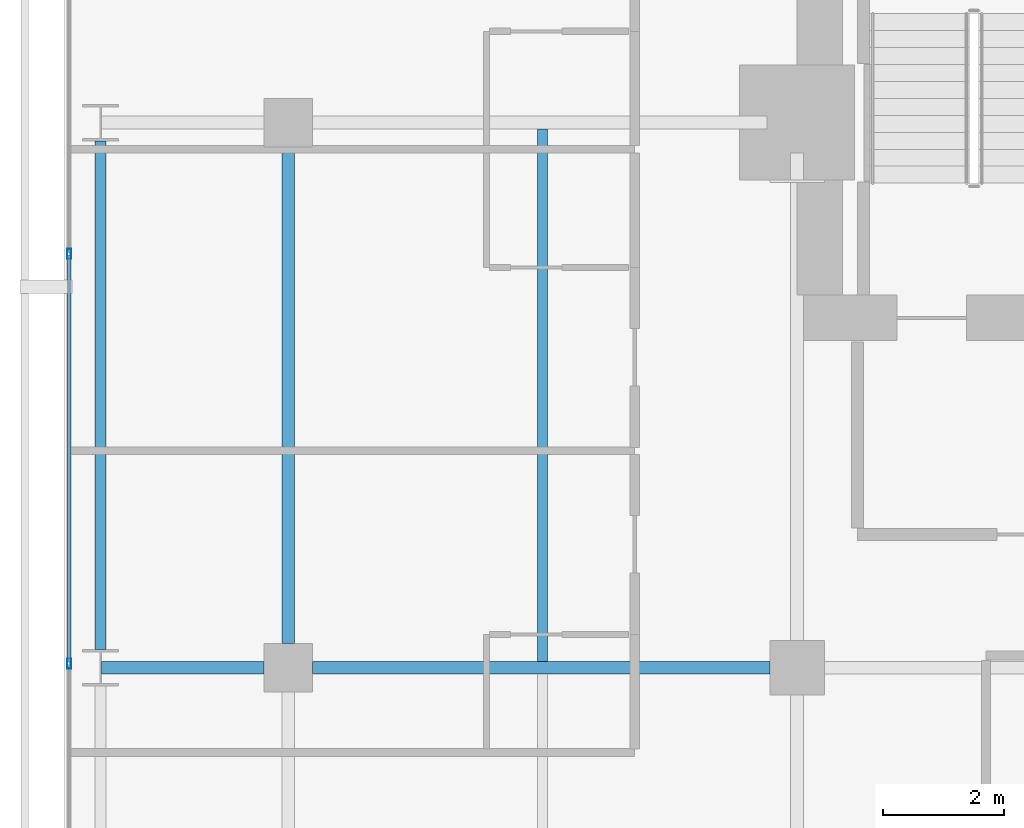
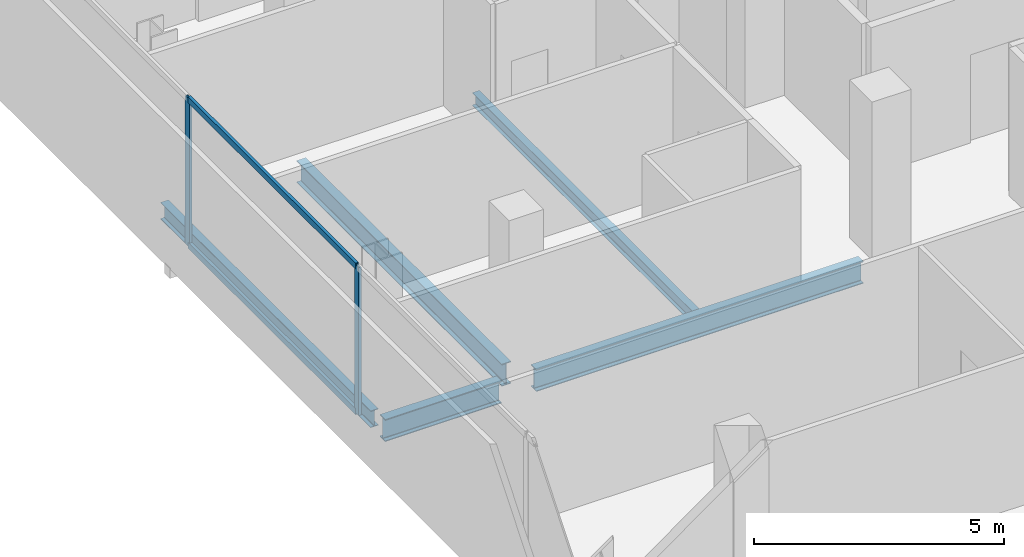
# One storey, part 18 of 34: 5 beams, 4 members, 1 element without a shape of its own.
"""IFC4 building model written with IfcOpenShell, lengths in metres."""

from ifc_helpers import new_model, si_unit, direction, frame, origin, origin_2d, place, context, subcontext, project, spatial, hollow_rectangle, i_section, extrude, material, layer, layer_set, material_profile, profile_set, type_object, element, aggregate, save


model = new_model("IFC4")

# Units and contexts
model_context = context("Model", 3, precision=1e-05, world=origin(), true_north=direction((0.0, 1.0)))
body_context = subcontext(model_context, "Body", "Model", "MODEL_VIEW")
ifc_project = project(units=[si_unit("LENGTHUNIT", "METRE"), si_unit("AREAUNIT", "SQUARE_METRE"), si_unit("VOLUMEUNIT", "CUBIC_METRE"), si_unit("PLANEANGLEUNIT", "RADIAN"), si_unit("MASSUNIT", "GRAM", prefix="KILO")], contexts=[model_context])

# Site, building, storey
site_placement = place(None, origin())
site = spatial("IfcSite", under=ifc_project, at=site_placement, CompositionType="ELEMENT")
building_placement = place(site_placement, origin())
building = spatial("IfcBuilding", under=site, at=building_placement, Name="Maruvema Waterfront Hotel and Observation Tower", CompositionType="ELEMENT")
storey_placement = place(building_placement, frame((0.0, 0.0, 208.25)))
storey = spatial("IfcBuildingStorey", under=building, at=storey_placement, Name="L51", CompositionType="ELEMENT", Elevation=208.25)

# Curtain wall, members
ifc_material_1 = material(Name="Anodised bronze aluminium and solar-control low-E IGU", Category="aluminium")
ifc_layer = layer(ifc_material_1, 0.159912109375, Name="Zone 2 Amber Inner Thermal Curtain Wall System CW-03")
ifc_layer_set = layer_set([ifc_layer], Name="Anodised bronze aluminium and solar-control low-E IGU")
curtain_wall_type = type_object("IfcCurtainWallType", Name="Zone 2 Amber Inner Thermal Curtain Wall System CW-03", PredefinedType="USERDEFINED", material=ifc_layer_set)
curtain_wall_placement = place(storey_placement, origin())
curtain_wall = element("IfcCurtainWall", 1, at=curtain_wall_placement, inside=storey, type_object=curtain_wall_type, Name="L51 Curtain Wall CW-L51-W", ObjectType="UNITISED CURTAIN WALL", PredefinedType="USERDEFINED")
ifc_material_2 = material(Name="Anodised architectural bronze aluminium", Category="aluminium")
ifc_material_profile_1 = material_profile(ifc_material_2, hollow_rectangle(XDim=0.070068359375, YDim=0.14990234375, WallThickness=0.00390625, at=origin_2d()), Name="ALU-T70x150")
ifc_profile_set_1 = profile_set([ifc_material_profile_1], Name="Anodised architectural bronze aluminium")
member_type_1 = type_object("IfcMemberType", Name="Curtain Wall Horizontal Transom ALU-T70x150", PredefinedType="USERDEFINED", material=ifc_profile_set_1)
member_1_placement = place(storey_placement, frame((13.179931640625, 42.80322265625, 0.030029296875), z_axis=(0.0, -1.0, 0.0), x_axis=(1.0, 0.0, 0.0)))
member_1 = element("IfcMember", 2, at=member_1_placement, type_object=member_type_1, Name="CW-03 transom 2.1", ObjectType="TRANSOM", PredefinedType="USERDEFINED", context=body_context, shape_type="SweptSolid", body=[
    extrude(hollow_rectangle(XDim=0.070068359375, YDim=0.14990234375, WallThickness=0.00390625, at=origin_2d()), origin(), (0.0, 0.0, 1.0), 6.70654296875),
])
member_2_placement = place(storey_placement, frame((13.179931640625, 42.80322265625, 3.580078125), z_axis=(0.0, -1.0, 0.0), x_axis=(1.0, 0.0, 0.0)))
member_2 = element("IfcMember", 3, at=member_2_placement, type_object=member_type_1, Name="CW-03 transom 2.2", ObjectType="TRANSOM", PredefinedType="USERDEFINED", context=body_context, shape_type="SweptSolid", body=[
    extrude(hollow_rectangle(XDim=0.070068359375, YDim=0.14990234375, WallThickness=0.00390625, at=origin_2d()), origin(), (0.0, 0.0, 1.0), 6.70654296875),
])
ifc_material_3 = material(Name="Anodised architectural bronze aluminium", Category="aluminium")
ifc_material_profile_2 = material_profile(ifc_material_3, hollow_rectangle(XDim=0.06494140625, YDim=0.1650390625, WallThickness=0.00390625, at=origin_2d()), Name="ALU-M65x165")
ifc_profile_set_2 = profile_set([ifc_material_profile_2], Name="Anodised architectural bronze aluminium")
member_type_2 = type_object("IfcMemberType", Name="Curtain Wall Primary Mullion ALU-M65x165", PredefinedType="MULLION", material=ifc_profile_set_2)
member_3_placement = place(storey_placement, frame((13.179931640625, 42.833251953125, 0.0), z_axis=(0.0, 0.0, 1.0), x_axis=(1.0, 0.0, 0.0)))
member_3 = element("IfcMember", 4, at=member_3_placement, type_object=member_type_2, Name="CW-03 mullion 2", PredefinedType="MULLION", context=body_context, shape_type="SweptSolid", body=[
    extrude(hollow_rectangle(XDim=0.06494140625, YDim=0.1650390625, WallThickness=0.00390625, at=origin_2d()), origin(), (0.0, 0.0, 1.0), 3.610107421875),
])
member_4_placement = place(storey_placement, frame((13.179931640625, 36.066650390625, 0.0), z_axis=(0.0, 0.0, 1.0), x_axis=(1.0, 0.0, 0.0)))
member_4 = element("IfcMember", 5, at=member_4_placement, type_object=member_type_2, Name="CW-03 mullion 3", PredefinedType="MULLION", context=body_context, shape_type="SweptSolid", body=[
    extrude(hollow_rectangle(XDim=0.06494140625, YDim=0.1650390625, WallThickness=0.00390625, at=origin_2d()), origin(), (0.0, 0.0, 1.0), 3.610107421875),
])
aggregate(curtain_wall, [member_3, member_4, member_1, member_2])

# Beams
ifc_material_4 = material(Name="Steel ASTM A572 Grade 50", Category="steel")
ifc_material_profile_3 = material_profile(ifc_material_4, i_section(OverallWidth=0.178955078125, OverallDepth=0.409912109375, WebThickness=0.0087890625, FlangeThickness=0.014404296875, FilletRadius=0.014892578125, at=origin_2d()), Name="W410x67.0")
ifc_profile_set_3 = profile_set([ifc_material_profile_3], Name="Steel ASTM A572 Grade 50")
beam_type_1 = type_object("IfcBeamType", Name="Perimeter Spandrel Beam W410x67.0", PredefinedType="SPANDREL", material=ifc_profile_set_3)
beam_1_placement = place(storey_placement, frame((13.699951171875, 36.300048828125, -0.445068359375), z_axis=(0.0, 1.0, 0.0), x_axis=(-1.0, 0.0, 0.0)))
element("IfcBeam", 6, at=beam_1_placement, inside=storey, type_object=beam_type_1, Name="L51 Floor Girder NS-04", PredefinedType="SPANDREL", context=body_context, shape_type="SweptSolid", body=[
    extrude(i_section(OverallWidth=0.178955078125, OverallDepth=0.409912109375, WebThickness=0.0087890625, FlangeThickness=0.014404296875, FilletRadius=0.014892578125, at=origin_2d()), origin(), (0.0, 0.0, 1.0), 8.39990234375),
])
ifc_material_5 = material(Name="Steel ASTM A572 Grade 50", Category="steel")
ifc_material_profile_4 = material_profile(ifc_material_5, i_section(OverallWidth=0.2109375, OverallDepth=0.5390625, WebThickness=0.01171875, FlangeThickness=0.018798828125, FilletRadius=0.014892578125, at=origin_2d()), Name="W530x109.0")
ifc_profile_set_4 = profile_set([ifc_material_profile_4], Name="Steel ASTM A572 Grade 50")
beam_type_2 = type_object("IfcBeamType", Name="Primary Floor Girder W530x109.0", PredefinedType="BEAM", material=ifc_profile_set_4)
beam_2_placement = place(storey_placement, frame((13.71240234375, 36.0, -0.509521484375), z_axis=(1.0, 0.0, 0.0), x_axis=(0.0, 1.0, 0.0)))
element("IfcBeam", 7, at=beam_2_placement, inside=storey, type_object=beam_type_2, Name="L51 Floor Girder EW-23", PredefinedType="BEAM", context=body_context, shape_type="SweptSolid", body=[
    extrude(i_section(OverallWidth=0.2109375, OverallDepth=0.5390625, WebThickness=0.01171875, FlangeThickness=0.018798828125, FilletRadius=0.014892578125, at=origin_2d()), origin(), (0.0, 0.0, 1.0), 2.6875),
])
beam_3_placement = place(storey_placement, frame((17.199951171875, 36.0, -0.509521484375), z_axis=(1.0, 0.0, 0.0), x_axis=(0.0, 1.0, 0.0)))
element("IfcBeam", 8, at=beam_3_placement, inside=storey, type_object=beam_type_2, Name="L51 Floor Girder EW-24", PredefinedType="BEAM", context=body_context, shape_type="SweptSolid", body=[
    extrude(i_section(OverallWidth=0.2109375, OverallDepth=0.5390625, WebThickness=0.01171875, FlangeThickness=0.018798828125, FilletRadius=0.014892578125, at=origin_2d()), origin(), (0.0, 0.0, 1.0), 7.550048828125),
])
beam_4_placement = place(storey_placement, frame((16.800048828125, 36.39990234375, -0.509521484375), z_axis=(0.0, 1.0, 0.0), x_axis=(-1.0, 0.0, 0.0)))
element("IfcBeam", 9, at=beam_4_placement, inside=storey, type_object=beam_type_2, Name="L51 Floor Girder NS-08", PredefinedType="BEAM", context=body_context, shape_type="SweptSolid", body=[
    extrude(i_section(OverallWidth=0.2109375, OverallDepth=0.5390625, WebThickness=0.01171875, FlangeThickness=0.018798828125, FilletRadius=0.014892578125, at=origin_2d()), origin(), (0.0, 0.0, 1.0), 8.2001953125),
])
ifc_material_6 = material(Name="Steel ASTM A572 Grade 50", Category="steel")
ifc_material_profile_5 = material_profile(ifc_material_6, i_section(OverallWidth=0.1650390625, OverallDepth=0.31005859375, WebThickness=0.005859375, FlangeThickness=0.009765625, FilletRadius=0.012939453125, at=origin_2d()), Name="W310x38.7")
ifc_profile_set_5 = profile_set([ifc_material_profile_5], Name="Steel ASTM A572 Grade 50")
beam_type_3 = type_object("IfcBeamType", Name="Secondary Floor Joist W310x38.7", PredefinedType="JOIST", material=ifc_profile_set_5)
beam_5_placement = place(storey_placement, frame((21.0, 36.10546875, -0.39501953125), z_axis=(0.0, 1.0, 0.0), x_axis=(-1.0, 0.0, 0.0)))
element("IfcBeam", 10, at=beam_5_placement, inside=storey, type_object=beam_type_3, Name="L51 Secondary Floor Joist JS-04", PredefinedType="JOIST", context=body_context, shape_type="SweptSolid", body=[
    extrude(i_section(OverallWidth=0.1650390625, OverallDepth=0.31005859375, WebThickness=0.005859375, FlangeThickness=0.009765625, FilletRadius=0.012939453125, at=origin_2d()), origin(), (0.0, 0.0, 1.0), 8.7890625),
])

save(model, "model.ifc")
